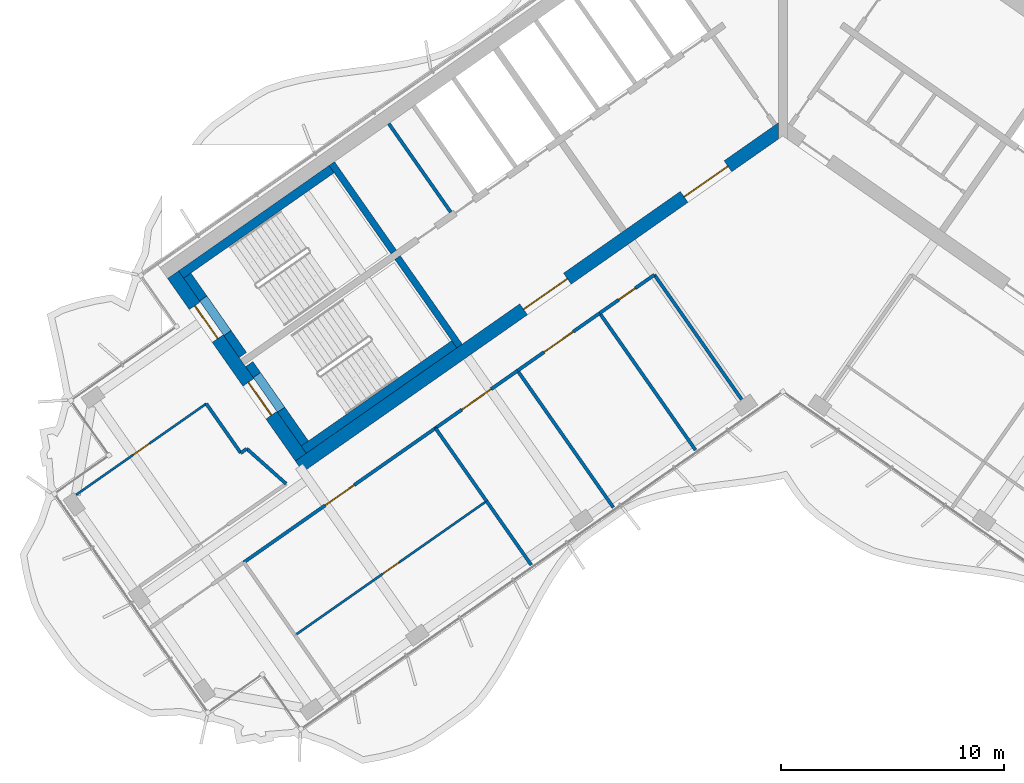
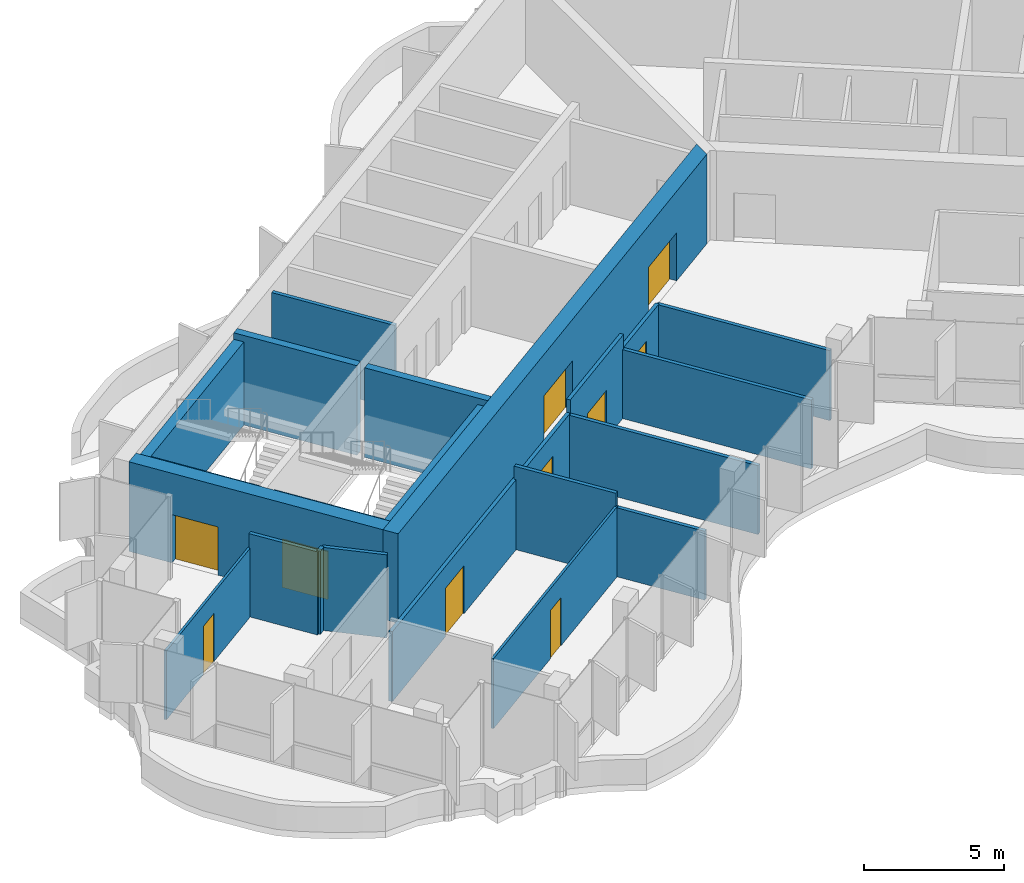
# One storey, part 11 of 20: 27 walls, 10 doors, 10 openings.
"""IFC4 building model written with IfcOpenShell, lengths in metres."""

from ifc_helpers import new_model, si_unit, direction, frame, frame_2d, origin, place, context, subcontext, project, spatial, polyline, rectangle, outline, extrude, material, layer, layer_set, type_object, element, fill, save


model = new_model("IFC4")

# Units and contexts
model_context = context("Model", 3, precision=1e-05, world=origin(), true_north=direction((0.0, 1.0)))
body_context = subcontext(model_context, "Body", "Model", "MODEL_VIEW")
ifc_project = project(units=[si_unit("LENGTHUNIT", "METRE"), si_unit("AREAUNIT", "SQUARE_METRE"), si_unit("VOLUMEUNIT", "CUBIC_METRE"), si_unit("PLANEANGLEUNIT", "RADIAN"), si_unit("MASSUNIT", "GRAM", prefix="KILO")], contexts=[model_context])

# Site, building, storey
site_placement = place(None, origin())
site = spatial("IfcSite", under=ifc_project, at=site_placement, CompositionType="ELEMENT")
building_placement = place(site_placement, origin())
building = spatial("IfcBuilding", under=site, at=building_placement, Name="Tel Ilan Convention Tower", CompositionType="ELEMENT")
storey_placement = place(building_placement, frame((0.0, 0.0, 233.199951171875)))
storey = spatial("IfcBuildingStorey", under=building, at=storey_placement, Name="L54", CompositionType="ELEMENT", Elevation=233.199951171875)

# Walls
ifc_material_1 = material(Name="Gypsum Plasterboard on Steel Stud", Category="steel")
ifc_layer_1 = layer(ifc_material_1, 0.14990234375)
ifc_layer_set_1 = layer_set([ifc_layer_1], Name="Core Room Partition Wall 150 mm EI 60")
wall_type_1 = type_object("IfcWallType", Name="Core Room Partition Wall 150 mm EI 60", PredefinedType="PARTITIONING", material=ifc_layer_set_1)
wall_1_placement = place(storey_placement, frame((-14.909423828125, -4.64111328125, 0.0), z_axis=(0.0, 0.0, 1.0), x_axis=(-0.573560315113, 0.819163332265, 0.0)))
element("IfcWall", 1, at=wall_1_placement, inside=storey, type_object=wall_type_1, Name="L54 core wall bank-W2-split", PredefinedType="PARTITIONING", context=body_context, shape_type="SweptSolid", body=[
    extrude(rectangle(XDim=4.849853515625, YDim=0.14990234375, at=frame_2d((2.4248046875, 0.0))), origin(), (0.0, 0.0, 1.0), 3.6201171875),
])
ifc_material_2 = material(Name="Concrete C40/50", Category="concrete")
ifc_layer_2 = layer(ifc_material_2, 0.300048828125)
ifc_layer_set_2 = layer_set([ifc_layer_2], Name="Core Shear Wall 300 mm C40/50")
wall_type_2 = type_object("IfcWallType", Name="Core Shear Wall 300 mm C40/50", PredefinedType="SHEAR", material=ifc_layer_set_2)
wall_2_placement = place(storey_placement, frame((-14.515380859375, -10.652099609375, 0.0), z_axis=(0.0, 0.0, 1.0), x_axis=(-0.573560315113, 0.819163332265, 0.0)))
element("IfcWall", 2, at=wall_2_placement, inside=storey, type_object=wall_type_2, Name="L54 core wall W-cross2-1", PredefinedType="SHEAR", context=body_context, shape_type="SweptSolid", body=[
    extrude(outline(polyline([(4.85009765625, 0.14990234375), (0.0, 0.14990234375), (0.0, -0.150146484375), (4.85009765625, -0.14990234375), (4.85009765625, 0.14990234375)])), origin(), (0.0, 0.0, 1.0), 3.900146484375),
])
wall_3_placement = place(storey_placement, frame((-17.46923828125, -6.433349609375, 0.0), z_axis=(0.0, 0.0, 1.0), x_axis=(-0.573594092424, 0.81913968109, 0.0)))
element("IfcWall", 3, at=wall_3_placement, inside=storey, type_object=wall_type_2, Name="L54 core wall W-cross2-2", PredefinedType="SHEAR", context=body_context, shape_type="SweptSolid", body=[
    extrude(outline(polyline([(4.849853515625, -0.150146484375), (4.849853515625, 0.14990234375), (0.0, 0.14990234375), (0.0, -0.14990234375), (4.849853515625, -0.150146484375)])), origin(), (0.0, 0.0, 1.0), 3.900146484375),
])

# Wall, openings, doors
ifc_material_3 = material(Name="Concrete C40/50", Category="concrete")
ifc_layer_3 = layer(ifc_material_3, 0.60009765625)
ifc_layer_set_3 = layer_set([ifc_layer_3], Name="Core Shear Wall 600 mm C40/50")
wall_type_3 = type_object("IfcWallType", Name="Core Shear Wall 600 mm C40/50", PredefinedType="SHEAR", material=ifc_layer_set_3)
wall_4_placement = place(storey_placement, frame((-0.02783203125, -0.8740234375, 0.0), z_axis=(0.0, 0.0, 1.0), x_axis=(-0.819150035022, -0.573579305871, 0.0)))
wall_4 = element("IfcWall", 4, at=wall_4_placement, inside=storey, type_object=wall_type_3, Name="L54 core wall W-front", PredefinedType="SHEAR", context=body_context, shape_type="SweptSolid", body=[
    extrude(outline(polyline([(26.475830078125, 0.2998046875), (0.420166015625, 0.300048828125), (0.000244140625, -0.300048828125), (26.475830078125, -0.300048828125), (26.475830078125, 0.2998046875)])), origin(), (0.0, 0.0, 1.0), 3.900146484375),
])
opening_1_placement = place(wall_4_placement, frame((2.975830078125, 0.0, 0.0)))
opening_1 = element("IfcOpeningElement", 5, at=opening_1_placement, cuts=wall_4, Name="Opening CD4206", PredefinedType="OPENING", context=body_context, shape_type="SweptSolid", body=[
    extrude(rectangle(XDim=2.39990234375, YDim=2.10009765625, at=frame_2d((1.199951171875, 1.050048828125))), frame((0.0, 0.31005859375, 0.0), z_axis=(0.0, -1.0, 0.0), x_axis=(1.0, 0.0, 0.0)), (0.0, 0.0, 1.0), 0.6201171875),
])
opening_2_placement = place(wall_4_placement, frame((11.77587890625, 0.0, 0.0)))
opening_2 = element("IfcOpeningElement", 6, at=opening_2_placement, cuts=wall_4, Name="Opening CD4207", PredefinedType="OPENING", context=body_context, shape_type="SweptSolid", body=[
    extrude(rectangle(XDim=2.39990234375, YDim=2.10009765625, at=frame_2d((1.199951171875, 1.050048828125))), frame((0.0, 0.31005859375, 0.0), z_axis=(0.0, -1.0, 0.0), x_axis=(1.0, 0.0, 0.0)), (0.0, 0.0, 1.0), 0.6201171875),
])
ifc_material_4 = material(Name="Glazed Aluminium Door Leaf", Category="aluminium")
door_type_1 = type_object("IfcDoorType", Name="Lobby Opening Door 2400 x 2100 FD60S", OperationType="NOTDEFINED", PredefinedType="DOOR", material=ifc_material_4)
door_1_placement = place(opening_1_placement, origin())
door_1 = element("IfcDoor", 7, at=door_1_placement, inside=storey, type_object=door_type_1, Name="Lift Lobby HR1-HR4 opening", OperationType="DOUBLE_DOOR_SINGLE_SWING", OverallHeight=2.10009765625, OverallWidth=2.39990234375, PredefinedType="DOOR", context=body_context, shape_type="SweptSolid", body=[
    extrude(rectangle(XDim=2.39990234375, YDim=2.10009765625, at=frame_2d((1.199951171875, 1.050048828125))), frame((0.0, 0.02490234375, 0.0), z_axis=(0.0, -1.0, 0.0), x_axis=(1.0, 0.0, 0.0)), (0.0, 0.0, 1.0), 0.050048828125),
])
fill(opening_1, door_1)
door_2_placement = place(opening_2_placement, origin())
door_2 = element("IfcDoor", 8, at=door_2_placement, inside=storey, type_object=door_type_1, Name="Lift Lobby HR5-HR6 opening", OperationType="DOUBLE_DOOR_SINGLE_SWING", OverallHeight=2.10009765625, OverallWidth=2.39990234375, PredefinedType="DOOR", context=body_context, shape_type="SweptSolid", body=[
    extrude(rectangle(XDim=2.39990234375, YDim=2.10009765625, at=frame_2d((1.199951171875, 1.050048828125))), frame((0.0, 0.02490234375, 0.0), z_axis=(0.0, -1.0, 0.0), x_axis=(1.0, 0.0, 0.0)), (0.0, 0.0, 1.0), 0.050048828125),
])
fill(opening_2, door_2)

wall_5_placement = place(storey_placement, frame((-21.641845703125, -15.64208984375, 0.0), z_axis=(0.0, 0.0, 1.0), x_axis=(-0.573586866468, 0.819144740944, 0.0)))
wall_5 = element("IfcWall", 9, at=wall_5_placement, inside=storey, type_object=wall_type_3, Name="L54 core wall W-end", PredefinedType="SHEAR", context=body_context, shape_type="SweptSolid", body=[
    extrude(outline(polyline([(0.0, 0.300048828125), (0.0, -0.2998046875), (10.0, -0.300048828125), (10.0, 0.300048828125), (0.0, 0.300048828125)])), origin(), (0.0, 0.0, 1.0), 3.900146484375),
])
opening_3_placement = place(wall_5_placement, frame((6.5, 0.0, 0.0)))
opening_3 = element("IfcOpeningElement", 10, at=opening_3_placement, cuts=wall_5, Name="Opening SD4201", PredefinedType="OPENING", context=body_context, shape_type="SweptSolid", body=[
    extrude(rectangle(XDim=1.800048828125, YDim=2.10009765625, at=frame_2d((0.89990234375, 1.050048828125))), frame((0.0, 0.31005859375, 0.0), z_axis=(0.0, -1.0, 0.0), x_axis=(1.0, 0.0, 0.0)), (0.0, 0.0, 1.0), 0.6201171875),
])
opening_4_placement = place(wall_5_placement, frame((2.300048828125, 0.0, 0.0)))
opening_4 = element("IfcOpeningElement", 11, at=opening_4_placement, cuts=wall_5, Name="Opening SD4202", PredefinedType="OPENING", context=body_context, shape_type="SweptSolid", body=[
    extrude(rectangle(XDim=1.800048828125, YDim=2.10009765625, at=frame_2d((0.89990234375, 1.050048828125))), frame((0.0, 0.31005859375, 0.0), z_axis=(0.0, -1.0, 0.0), x_axis=(1.0, 0.0, 0.0)), (0.0, 0.0, 1.0), 0.6201171875),
])
ifc_material_5 = material(Name="Galvanised Steel Door Leaf", Category="steel")
door_type_2 = type_object("IfcDoorType", Name="Stair Fire Door 1800 x 2100 FD60S", OperationType="NOTDEFINED", PredefinedType="DOOR", material=ifc_material_5)
door_3_placement = place(opening_3_placement, origin())
door_3 = element("IfcDoor", 12, at=door_3_placement, inside=storey, type_object=door_type_2, Name="Stair S1 door", OperationType="DOUBLE_DOOR_SINGLE_SWING", OverallHeight=2.10009765625, OverallWidth=1.800048828125, PredefinedType="DOOR", context=body_context, shape_type="SweptSolid", body=[
    extrude(rectangle(XDim=1.800048828125, YDim=2.10009765625, at=frame_2d((0.89990234375, 1.050048828125))), frame((0.0, 0.02490234375, 0.0), z_axis=(0.0, -1.0, 0.0), x_axis=(1.0, 0.0, 0.0)), (0.0, 0.0, 1.0), 0.050048828125),
])
fill(opening_3, door_3)
door_4_placement = place(opening_4_placement, origin())
door_4 = element("IfcDoor", 13, at=door_4_placement, inside=storey, type_object=door_type_2, Name="Stair S2 door", OperationType="DOUBLE_DOOR_SINGLE_SWING", OverallHeight=2.10009765625, OverallWidth=1.800048828125, PredefinedType="DOOR", context=body_context, shape_type="SweptSolid", body=[
    extrude(rectangle(XDim=1.800048828125, YDim=2.10009765625, at=frame_2d((0.89990234375, 1.050048828125))), frame((0.0, 0.02490234375, 0.0), z_axis=(0.0, -1.0, 0.0), x_axis=(1.0, 0.0, 0.0)), (0.0, 0.0, 1.0), 0.050048828125),
])
fill(opening_4, door_4)

# Wall, opening, door
ifc_material_6 = material(Name="Plasterboard on Steel Studs", Category="steel")
ifc_layer_4 = layer(ifc_material_6, 0.14990234375)
ifc_layer_set_4 = layer_set([ifc_layer_4], Name="Fire-rated Partition 150 EI 60")
wall_type_4 = type_object("IfcWallType", Name="Fire-rated Partition 150 EI 60", PredefinedType="PARTITIONING", material=ifc_layer_set_4)
wall_6_placement = place(storey_placement, frame((-5.766357421875, -7.455810546875, 0.0), z_axis=(0.0, 0.0, 1.0), x_axis=(-0.81915932427, -0.57356603932, 0.0)))
wall_6 = element("IfcWall", 14, at=wall_6_placement, inside=storey, type_object=wall_type_4, Name="Partition 008", PredefinedType="PARTITIONING", context=body_context, shape_type="SweptSolid", body=[
    extrude(rectangle(XDim=3.002197265625, YDim=0.14990234375, at=frame_2d((1.5009765625, 0.0))), origin(), (0.0, 0.0, 1.0), 3.050048828125),
])
opening_5_placement = place(wall_6_placement, frame((1.051025390625, 0.0, 0.0)))
opening_5 = element("IfcOpeningElement", 15, at=opening_5_placement, cuts=wall_6, Name="Opening L53-001", PredefinedType="OPENING", context=body_context, shape_type="SweptSolid", body=[
    extrude(rectangle(XDim=0.89990234375, YDim=2.10009765625, at=frame_2d((0.449951171875, 1.050048828125))), frame((0.0, 0.0849609375, 0.0), z_axis=(0.0, -1.0, 0.0), x_axis=(1.0, 0.0, 0.0)), (0.0, 0.0, 1.0), 0.169921875),
])
ifc_material_7 = material(Name="Timber Door Leaf in Steel Frame", Category="steel")
door_type_3 = type_object("IfcDoorType", Name="Room Fire Door 900x2100", OperationType="NOTDEFINED", PredefinedType="DOOR", material=ifc_material_7)
door_5_placement = place(opening_5_placement, origin())
door_5 = element("IfcDoor", 16, at=door_5_placement, inside=storey, type_object=door_type_3, Name="Door L53-001", OperationType="SINGLE_SWING_RIGHT", OverallHeight=2.10009765625, OverallWidth=0.89990234375, PredefinedType="DOOR", context=body_context, shape_type="SweptSolid", body=[
    extrude(rectangle(XDim=0.89990234375, YDim=2.10009765625, at=frame_2d((0.449951171875, 1.050048828125))), frame((0.0, 0.02490234375, 0.0), z_axis=(0.0, -1.0, 0.0), x_axis=(1.0, 0.0, 0.0)), (0.0, 0.0, 1.0), 0.050048828125),
])
fill(opening_5, door_5)

wall_7_placement = place(storey_placement, frame((-8.22216796875, -9.17529296875, 0.0), z_axis=(0.0, 0.0, 1.0), x_axis=(-0.819140235121, -0.573593301221, 0.0)))
wall_7 = element("IfcWall", 17, at=wall_7_placement, inside=storey, type_object=wall_type_4, Name="Partition 009", PredefinedType="PARTITIONING", context=body_context, shape_type="SweptSolid", body=[
    extrude(rectangle(XDim=4.504150390625, YDim=0.14990234375, at=frame_2d((2.251953125, 0.0))), origin(), (0.0, 0.0, 1.0), 3.6201171875),
])
opening_6_placement = place(wall_7_placement, frame((1.451904296875, 0.0, 0.0)))
opening_6 = element("IfcOpeningElement", 18, at=opening_6_placement, cuts=wall_7, Name="Opening L53-002", PredefinedType="OPENING", context=body_context, shape_type="SweptSolid", body=[
    extrude(rectangle(XDim=1.60009765625, YDim=2.10009765625, at=frame_2d((0.800048828125, 1.050048828125))), frame((0.0, 0.0849609375, 0.0), z_axis=(0.0, -1.0, 0.0), x_axis=(1.0, 0.0, 0.0)), (0.0, 0.0, 1.0), 0.169921875),
])
ifc_material_8 = material(Name="Timber Door Leaf in Steel Frame", Category="steel")
door_type_4 = type_object("IfcDoorType", Name="Tenant Suite Entrance Fire Door 1600x2100", OperationType="NOTDEFINED", PredefinedType="DOOR", material=ifc_material_8)
door_6_placement = place(opening_6_placement, origin())
door_6 = element("IfcDoor", 19, at=door_6_placement, inside=storey, type_object=door_type_4, Name="Door L53-002", OperationType="DOUBLE_DOOR_SINGLE_SWING", OverallHeight=2.10009765625, OverallWidth=1.60009765625, PredefinedType="DOOR", context=body_context, shape_type="SweptSolid", body=[
    extrude(rectangle(XDim=1.60009765625, YDim=2.10009765625, at=frame_2d((0.800048828125, 1.050048828125))), frame((0.0, 0.02490234375, 0.0), z_axis=(0.0, -1.0, 0.0), x_axis=(1.0, 0.0, 0.0)), (0.0, 0.0, 1.0), 0.050048828125),
])
fill(opening_6, door_6)

wall_8_placement = place(storey_placement, frame((-11.908447265625, -11.756591796875, 0.0), z_axis=(0.0, 0.0, 1.0), x_axis=(-0.819165703328, -0.573556928727, 0.0)))
wall_8 = element("IfcWall", 20, at=wall_8_placement, inside=storey, type_object=wall_type_4, Name="Partition 010", PredefinedType="PARTITIONING", context=body_context, shape_type="SweptSolid", body=[
    extrude(rectangle(XDim=4.50390625, YDim=0.14990234375, at=frame_2d((2.251953125, 0.0))), origin(), (0.0, 0.0, 1.0), 3.050048828125),
])
opening_7_placement = place(wall_8_placement, frame((1.451904296875, 0.0, 0.0)))
opening_7 = element("IfcOpeningElement", 21, at=opening_7_placement, cuts=wall_8, Name="Opening L53-003", PredefinedType="OPENING", context=body_context, shape_type="SweptSolid", body=[
    extrude(rectangle(XDim=1.60009765625, YDim=2.10009765625, at=frame_2d((0.800048828125, 1.050048828125))), frame((0.0, 0.0849609375, 0.0), z_axis=(0.0, -1.0, 0.0), x_axis=(1.0, 0.0, 0.0)), (0.0, 0.0, 1.0), 0.169921875),
])
door_7_placement = place(opening_7_placement, origin())
door_7 = element("IfcDoor", 22, at=door_7_placement, inside=storey, type_object=door_type_4, Name="Door L53-003", OperationType="DOUBLE_DOOR_SINGLE_SWING", OverallHeight=2.10009765625, OverallWidth=1.60009765625, PredefinedType="DOOR", context=body_context, shape_type="SweptSolid", body=[
    extrude(rectangle(XDim=1.60009765625, YDim=2.10009765625, at=frame_2d((0.800048828125, 1.050048828125))), frame((0.0, 0.02490234375, 0.0), z_axis=(0.0, -1.0, 0.0), x_axis=(1.0, 0.0, 0.0)), (0.0, 0.0, 1.0), 0.050048828125),
])
fill(opening_7, door_7)

wall_9_placement = place(storey_placement, frame((-15.594482421875, -14.337646484375, 0.0), z_axis=(0.0, 0.0, 1.0), x_axis=(-0.819164214721, -0.57355905478, 0.0)))
wall_9 = element("IfcWall", 23, at=wall_9_placement, inside=storey, type_object=wall_type_4, Name="Partition 011", PredefinedType="PARTITIONING", context=body_context, shape_type="SweptSolid", body=[
    extrude(rectangle(XDim=10.50390625, YDim=0.14990234375, at=frame_2d((5.251953125, 0.0))), origin(), (0.0, 0.0, 1.0), 3.050048828125),
])
opening_8_placement = place(wall_9_placement, frame((4.451904296875, 0.0, 0.0)))
opening_8 = element("IfcOpeningElement", 24, at=opening_8_placement, cuts=wall_9, Name="Opening L53-004", PredefinedType="OPENING", context=body_context, shape_type="SweptSolid", body=[
    extrude(rectangle(XDim=1.60009765625, YDim=2.10009765625, at=frame_2d((0.800048828125, 1.050048828125))), frame((0.0, 0.0849609375, 0.0), z_axis=(0.0, -1.0, 0.0), x_axis=(1.0, 0.0, 0.0)), (0.0, 0.0, 1.0), 0.169921875),
])
door_8_placement = place(opening_8_placement, origin())
door_8 = element("IfcDoor", 25, at=door_8_placement, inside=storey, type_object=door_type_4, Name="Door L53-004", OperationType="DOUBLE_DOOR_SINGLE_SWING", OverallHeight=2.10009765625, OverallWidth=1.60009765625, PredefinedType="DOOR", context=body_context, shape_type="SweptSolid", body=[
    extrude(rectangle(XDim=1.60009765625, YDim=2.10009765625, at=frame_2d((0.800048828125, 1.050048828125))), frame((0.0, 0.02490234375, 0.0), z_axis=(0.0, -1.0, 0.0), x_axis=(1.0, 0.0, 0.0)), (0.0, 0.0, 1.0), 0.050048828125),
])
fill(opening_8, door_8)

# Walls
wall_10_placement = place(storey_placement, frame((-1.848876953125, -13.050537109375, 0.0), z_axis=(0.0, 0.0, 1.0), x_axis=(-0.57357985571, 0.819149650018, 0.0)))
element("IfcWall", 26, at=wall_10_placement, inside=storey, type_object=wall_type_4, Name="Partition 025", PredefinedType="PARTITIONING", context=body_context, shape_type="SweptSolid", body=[
    extrude(rectangle(XDim=6.83203125, YDim=0.14990234375, at=frame_2d((3.416015625, 0.0))), origin(), (0.0, 0.0, 1.0), 3.050048828125),
])
wall_11_placement = place(storey_placement, frame((-24.337158203125, -15.4541015625, 0.0), z_axis=(0.0, 0.0, 1.0), x_axis=(-0.573571492575, 0.819155505936, 0.0)))
element("IfcWall", 27, at=wall_11_placement, inside=storey, type_object=wall_type_4, Name="Partition 026", PredefinedType="PARTITIONING", context=body_context, shape_type="SweptSolid", body=[
    extrude(rectangle(XDim=2.701904296875, YDim=0.14990234375, at=frame_2d((1.35107421875, 0.0))), origin(), (0.0, 0.0, 1.0), 3.6201171875),
])
wall_12_placement = place(storey_placement, frame((-22.2998046875, -16.83740234375, 0.0), z_axis=(0.0, 0.0, 1.0), x_axis=(-0.746942190663, 0.664888986078, 0.0)))
element("IfcWall", 28, at=wall_12_placement, inside=storey, type_object=wall_type_4, Name="Partition 027", PredefinedType="PARTITIONING", context=body_context, shape_type="SweptSolid", body=[
    extrude(rectangle(XDim=2.365478515625, YDim=0.14990234375, at=frame_2d((1.1826171875, 0.0))), origin(), (0.0, 0.0, 1.0), 3.6201171875),
])
wall_13_placement = place(storey_placement, frame((-24.066650390625, -15.2646484375, 0.0), z_axis=(0.0, 0.0, 1.0), x_axis=(-0.819092976344, -0.573660784876, 0.0)))
element("IfcWall", 29, at=wall_13_placement, inside=storey, type_object=wall_type_4, Name="Partition 028", PredefinedType="PARTITIONING", context=body_context, shape_type="SweptSolid", body=[
    extrude(rectangle(XDim=0.330322265625, YDim=0.14990234375, at=frame_2d((0.1650390625, 0.0))), origin(), (0.0, 0.0, 1.0), 3.6201171875),
])
for number, where, z_axis, x_axis, name in (
    (30, (-3.922119140625, -15.3203125, 0.0), (0.0, 0.0, 1.0), (-0.573560650686, 0.819163097304, 0.0), "Partition 030"),
    (31, (-7.608154296875, -17.9013671875, 0.0), (0.0, 0.0, 1.0), (-0.573560650686, 0.819163097304, 0.0), "Partition 031"),
):
    element("IfcWall", number, at=place(storey_placement, frame(where, z_axis=z_axis, x_axis=x_axis)), inside=storey, type_object=wall_type_4, Name=name, PredefinedType="PARTITIONING", context=body_context, shape_type="SweptSolid", body=[
        extrude(rectangle(XDim=7.5, YDim=0.14990234375, at=frame_2d((3.75, 0.0))), origin(), (0.0, 0.0, 1.0), 3.0),
    ])
wall_14_placement = place(storey_placement, frame((-11.29443359375, -20.482421875, 0.0), z_axis=(0.0, 0.0, 1.0), x_axis=(-0.573560622794, 0.819163116834, 0.0)))
element("IfcWall", 32, at=wall_14_placement, inside=storey, type_object=wall_type_4, Name="Partition 032", PredefinedType="PARTITIONING", context=body_context, shape_type="SweptSolid", body=[
    extrude(rectangle(XDim=3.5009765625, YDim=0.14990234375, at=frame_2d((1.75048828125, 0.0))), origin(), (0.0, 0.0, 1.0), 3.0),
])
wall_15_placement = place(storey_placement, frame((-13.30078125, -17.616943359375, 0.0), z_axis=(0.0, 0.0, 1.0), x_axis=(-0.573560601885, 0.819163131473, 0.0)))
element("IfcWall", 33, at=wall_15_placement, inside=storey, type_object=wall_type_4, Name="Partition 033", PredefinedType="PARTITIONING", context=body_context, shape_type="SweptSolid", body=[
    extrude(rectangle(XDim=4.001953125, YDim=0.14990234375, at=frame_2d((2.0009765625, 0.0))), origin(), (0.0, 0.0, 1.0), 3.6201171875),
])

# Wall, opening, door
ifc_material_9 = material(Name="Plasterboard on Steel Studs", Category="steel")
ifc_layer_5 = layer(ifc_material_9, 0.10009765625)
ifc_layer_set_5 = layer_set([ifc_layer_5], Name="Plasterboard Partition 100")
wall_type_5 = type_object("IfcWallType", Name="Plasterboard Partition 100", PredefinedType="PARTITIONING", material=ifc_layer_set_5)
wall_16_placement = place(storey_placement, frame((-31.72705078125, -17.331298828125, 0.0), z_axis=(0.0, 0.0, 1.0), x_axis=(0.819140241507, 0.573593292101, 0.0)))
wall_16 = element("IfcWall", 34, at=wall_16_placement, inside=storey, type_object=wall_type_5, Name="Partition 029", PredefinedType="PARTITIONING", context=body_context, shape_type="SweptSolid", body=[
    extrude(rectangle(XDim=7.1318359375, YDim=0.10009765625, at=frame_2d((3.56591796875, 0.0))), origin(), (0.0, 0.0, 1.0), 3.0),
])
opening_9_placement = place(wall_16_placement, frame((3.115966796875, 0.0, 0.0)))
opening_9 = element("IfcOpeningElement", 35, at=opening_9_placement, cuts=wall_16, Name="Opening L53-008", PredefinedType="OPENING", context=body_context, shape_type="SweptSolid", body=[
    extrude(rectangle(XDim=0.89990234375, YDim=2.10009765625, at=frame_2d((0.449951171875, 1.050048828125))), frame((0.0, 0.06005859375, 0.0), z_axis=(0.0, -1.0, 0.0), x_axis=(1.0, 0.0, 0.0)), (0.0, 0.0, 1.0), 0.1201171875),
])
ifc_material_10 = material(Name="Timber Door Leaf in Steel Frame", Category="steel")
door_type_5 = type_object("IfcDoorType", Name="Room Timber Door 900x2100", OperationType="NOTDEFINED", PredefinedType="DOOR", material=ifc_material_10)
door_9_placement = place(opening_9_placement, origin())
door_9 = element("IfcDoor", 36, at=door_9_placement, inside=storey, type_object=door_type_5, Name="Door L53-008", OperationType="SINGLE_SWING_RIGHT", OverallHeight=2.10009765625, OverallWidth=0.89990234375, PredefinedType="DOOR", context=body_context, shape_type="SweptSolid", body=[
    extrude(rectangle(XDim=0.89990234375, YDim=2.10009765625, at=frame_2d((0.449951171875, 1.050048828125))), frame((0.0, 0.02490234375, 0.0), z_axis=(0.0, -1.0, 0.0), x_axis=(1.0, 0.0, 0.0)), (0.0, 0.0, 1.0), 0.050048828125),
])
fill(opening_9, door_9)

wall_17_placement = place(storey_placement, frame((-13.30126953125, -17.6162109375, 0.0), z_axis=(0.0, 0.0, 1.0), x_axis=(-0.819155448096, -0.573571575181, 0.0)))
wall_17 = element("IfcWall", 37, at=wall_17_placement, inside=storey, type_object=wall_type_5, Name="Partition 034", PredefinedType="PARTITIONING", context=body_context, shape_type="SweptSolid", body=[
    extrude(rectangle(XDim=10.5, YDim=0.10009765625, at=frame_2d((5.25, 0.0))), origin(), (0.0, 0.0, 1.0), 3.050048828125),
])
opening_10_placement = place(wall_17_placement, frame((4.800048828125, 0.0, 0.0)))
opening_10 = element("IfcOpeningElement", 38, at=opening_10_placement, cuts=wall_17, Name="Opening L53-005", PredefinedType="OPENING", context=body_context, shape_type="SweptSolid", body=[
    extrude(rectangle(XDim=0.89990234375, YDim=2.10009765625, at=frame_2d((0.449951171875, 1.050048828125))), frame((0.0, 0.06005859375, 0.0), z_axis=(0.0, -1.0, 0.0), x_axis=(1.0, 0.0, 0.0)), (0.0, 0.0, 1.0), 0.1201171875),
])
door_10_placement = place(opening_10_placement, origin())
door_10 = element("IfcDoor", 39, at=door_10_placement, inside=storey, type_object=door_type_5, Name="Door L53-005", OperationType="SINGLE_SWING_LEFT", OverallHeight=2.10009765625, OverallWidth=0.89990234375, PredefinedType="DOOR", context=body_context, shape_type="SweptSolid", body=[
    extrude(rectangle(XDim=0.89990234375, YDim=2.10009765625, at=frame_2d((0.449951171875, 1.050048828125))), frame((0.0, 0.02490234375, 0.0), z_axis=(0.0, -1.0, 0.0), x_axis=(1.0, 0.0, 0.0)), (0.0, 0.0, 1.0), 0.050048828125),
])
fill(opening_10, door_10)

# Walls
ifc_material_11 = material(Name="Concrete C30/37", Category="concrete")
ifc_layer_6 = layer(ifc_material_11, 0.39990234375)
ifc_layer_set_6 = layer_set([ifc_layer_6], Name="Stair and Shaft Lining Wall 400 mm C30/37")
wall_type_6 = type_object("IfcWallType", Name="Stair and Shaft Lining Wall 400 mm C30/37", PredefinedType="SOLIDWALL", material=ifc_layer_set_6)
wall_18_placement = place(storey_placement, frame((-20.25927734375, -2.71044921875, 0.0), z_axis=(0.0, 0.0, 1.0), x_axis=(-0.81914849389, -0.573581506813, 0.0)))
element("IfcWall", 40, at=wall_18_placement, inside=storey, type_object=wall_type_6, Name="L54 core wall lining-S1-t1", PredefinedType="SOLIDWALL", context=body_context, shape_type="SweptSolid", body=[
    extrude(rectangle(XDim=8.249755859375, YDim=0.39990234375, at=frame_2d((4.125, 0.0))), origin(), (0.0, 0.0, 1.0), 3.6201171875),
])
wall_19_placement = place(storey_placement, frame((-24.24365234375, -11.0546875, 0.0), z_axis=(0.0, 0.0, 1.0), x_axis=(-0.573571582932, 0.819155442668, 0.0)))
element("IfcWall", 41, at=wall_19_placement, inside=storey, type_object=wall_type_6, Name="L54 core wall lining-S1-u1-0", PredefinedType="SOLIDWALL", context=body_context, shape_type="SweptSolid", body=[
    extrude(rectangle(XDim=1.199951171875, YDim=0.39990234375, at=frame_2d((0.60009765625, 0.0))), origin(), (0.0, 0.0, 1.0), 3.6201171875),
])
wall_20_placement = place(storey_placement, frame((-26.021728515625, -8.515380859375, 0.0), z_axis=(0.0, 0.0, 1.0), x_axis=(-0.573619628835, 0.819121798889, 0.0)))
element("IfcWall", 42, at=wall_20_placement, inside=storey, type_object=wall_type_6, Name="L54 core wall lining-S1-u1-1", PredefinedType="SOLIDWALL", context=body_context, shape_type="SweptSolid", body=[
    extrude(rectangle(XDim=1.25, YDim=0.39990234375, at=frame_2d((0.625, 0.0))), origin(), (0.0, 0.0, 1.0), 3.6201171875),
])
wall_21_placement = place(storey_placement, frame((-24.931884765625, -10.07177734375, 2.150146484375), z_axis=(0.0, 0.0, 1.0), x_axis=(-0.573591692345, 0.819141361715, 0.0)))
element("IfcWall", 43, at=wall_21_placement, inside=storey, type_object=wall_type_6, Name="L54 core wall lining-S1-u1-lintel", PredefinedType="SOLIDWALL", context=body_context, shape_type="SweptSolid", body=[
    extrude(rectangle(XDim=1.900146484375, YDim=0.39990234375, at=frame_2d((0.9501953125, 0.0))), origin(), (0.0, 0.0, 1.0), 1.469970703125),
])
wall_22_placement = place(storey_placement, frame((-14.7529296875, -10.57421875, 0.0), z_axis=(0.0, 0.0, 1.0), x_axis=(-0.819158229677, -0.573567602601, 0.0)))
element("IfcWall", 44, at=wall_22_placement, inside=storey, type_object=wall_type_6, Name="L54 core wall lining-S2-t0", PredefinedType="SOLIDWALL", context=body_context, shape_type="SweptSolid", body=[
    extrude(rectangle(XDim=8.25, YDim=0.39990234375, at=frame_2d((4.125, 0.0))), origin(), (0.0, 0.0, 1.0), 3.6201171875),
])
wall_23_placement = place(storey_placement, frame((-21.4619140625, -15.027587890625, 0.0), z_axis=(0.0, 0.0, 1.0), x_axis=(-0.573559770908, 0.819163713305, 0.0)))
element("IfcWall", 45, at=wall_23_placement, inside=storey, type_object=wall_type_6, Name="L54 core wall lining-S2-u1-0", PredefinedType="SOLIDWALL", context=body_context, shape_type="SweptSolid", body=[
    extrude(rectangle(XDim=1.849853515625, YDim=0.39990234375, at=frame_2d((0.9248046875, 0.0))), origin(), (0.0, 0.0, 1.0), 3.6201171875),
])
wall_24_placement = place(storey_placement, frame((-23.61279296875, -11.955810546875, 0.0), z_axis=(0.0, 0.0, 1.0), x_axis=(-0.573435029941, 0.819251039936, 0.0)))
element("IfcWall", 46, at=wall_24_placement, inside=storey, type_object=wall_type_6, Name="L54 core wall lining-S2-u1-1", PredefinedType="SOLIDWALL", context=body_context, shape_type="SweptSolid", body=[
    extrude(rectangle(XDim=0.599853515625, YDim=0.39990234375, at=frame_2d((0.2998046875, 0.0))), origin(), (0.0, 0.0, 1.0), 3.6201171875),
])
wall_25_placement = place(storey_placement, frame((-22.52294921875, -13.51220703125, 2.150146484375), z_axis=(0.0, 0.0, 1.0), x_axis=(-0.573591692345, 0.819141361715, 0.0)))
element("IfcWall", 47, at=wall_25_placement, inside=storey, type_object=wall_type_6, Name="L54 core wall lining-S2-u1-lintel", PredefinedType="SOLIDWALL", context=body_context, shape_type="SweptSolid", body=[
    extrude(rectangle(XDim=1.900146484375, YDim=0.39990234375, at=frame_2d((0.9501953125, 0.0))), origin(), (0.0, 0.0, 1.0), 1.469970703125),
])

save(model, "model.ifc")
